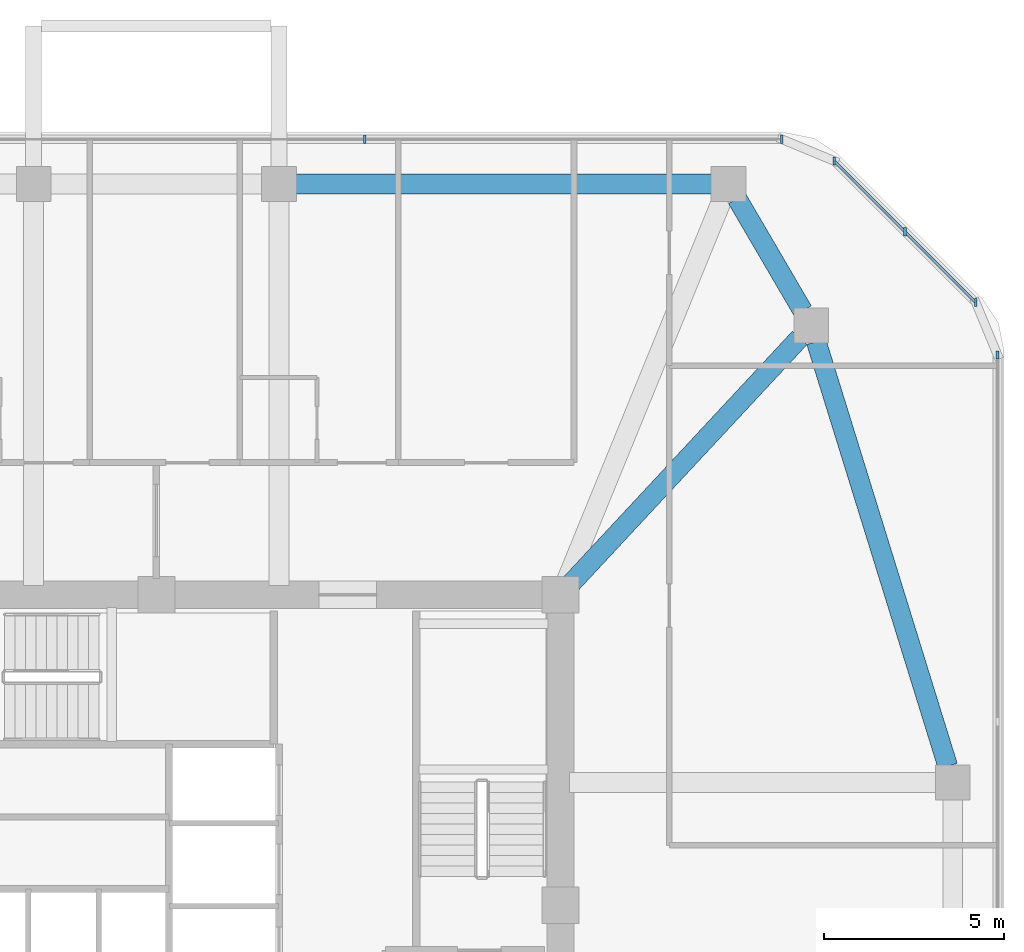
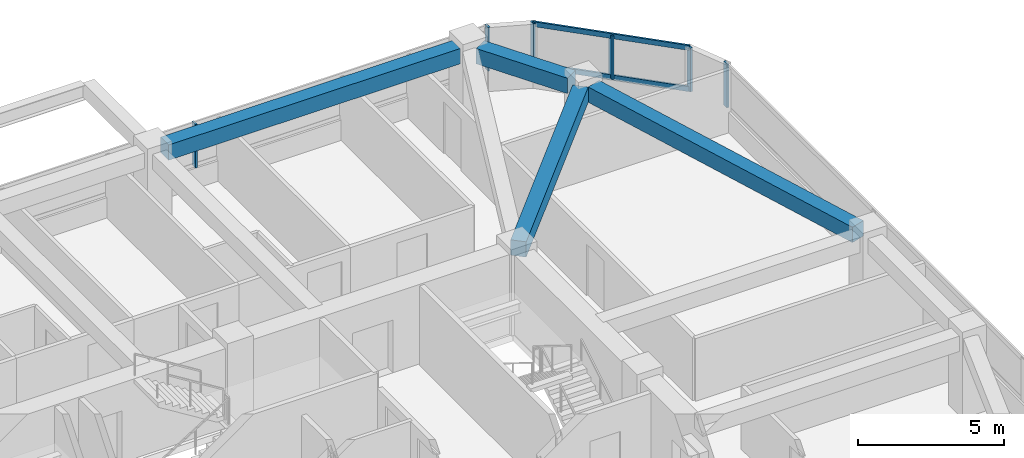
# One storey, part 5 of 12: 8 members, 4 beams, 3 elements without a shape of their own.
"""IFC4 building model written with IfcOpenShell, lengths in metres."""

from ifc_helpers import new_model, si_unit, derived_unit, direction, frame, origin, origin_2d, place, context, subcontext, project, spatial, rectangle, extrude, material, material_profile, profile_set, type_object, element, aggregate, save


model = new_model("IFC4")

# Units and contexts
model_context = context("Model", 3, precision=1e-05, world=origin(), true_north=direction((0.0, 1.0)))
body_context = subcontext(model_context, "Body", "Model", "MODEL_VIEW")
ifc_project = project(units=[si_unit("LENGTHUNIT", "METRE"), si_unit("AREAUNIT", "SQUARE_METRE"), si_unit("VOLUMEUNIT", "CUBIC_METRE"), si_unit("PLANEANGLEUNIT", "RADIAN"), si_unit("MASSUNIT", "GRAM", prefix="KILO"), derived_unit("THERMALTRANSMITTANCEUNIT", [(si_unit("POWERUNIT", "WATT"), 1), (si_unit("LENGTHUNIT", "METRE"), -2), (si_unit("THERMODYNAMICTEMPERATUREUNIT", "KELVIN"), -1)])], contexts=[model_context])

# Site, building, storey
site_placement = place(None, origin())
site = spatial("IfcSite", under=ifc_project, at=site_placement, CompositionType="ELEMENT")
building_placement = place(site_placement, origin())
building = spatial("IfcBuilding", under=site, at=building_placement, Name="Koralith Skygarden Medical Center", CompositionType="ELEMENT")
storey_placement = place(building_placement, frame((0.0, 0.0, 134.820068359375)))
storey = spatial("IfcBuildingStorey", under=building, at=storey_placement, Name="L34", CompositionType="ELEMENT", Elevation=134.820068359375)

# Curtain wall, member
ifc_material_1 = material(Name="Clear Laminated Glass", Category="glass")
curtain_wall_type = type_object("IfcCurtainWallType", Name="CW-4 Zone 3 Waist High-Wind Curtain Wall", PredefinedType="NOTDEFINED", material=ifc_material_1)
curtain_wall_1_placement = place(storey_placement, origin())
curtain_wall_1 = element("IfcCurtainWall", 1, at=curtain_wall_1_placement, inside=storey, type_object=curtain_wall_type, Name="Curtain Wall CW-L34-E", PredefinedType="NOTDEFINED")
ifc_material_2 = material(Name="Aluminium 6063-T6", Category="aluminium")
ifc_material_profile_1 = material_profile(ifc_material_2, rectangle(XDim=0.076904296875, YDim=0.22998046875, at=origin_2d()), Name="MUL77X230")
ifc_profile_set_1 = profile_set([ifc_material_profile_1], Name="Aluminium 6063-T6")
member_type_1 = type_object("IfcMemberType", Name="CW-4 Extruded Mullion 77x230", PredefinedType="MULLION", material=ifc_profile_set_1)
member_1_placement = place(storey_placement, frame((60.303955078125, 41.14501953125, 0.849853515625), z_axis=(0.0, 0.0, 1.0), x_axis=(1.0, 0.0, 0.0)))
member_1 = element("IfcMember", 2, at=member_1_placement, type_object=member_type_1, Name="CW-L34-E Mullion 4", PredefinedType="MULLION", context=body_context, shape_type="SweptSolid", body=[
    extrude(rectangle(XDim=0.076904296875, YDim=0.22998046875, at=origin_2d()), origin(), (0.0, 0.0, 1.0), 1.820068359375),
])
aggregate(curtain_wall_1, [member_1])

# Curtain wall, members
curtain_wall_2_placement = place(storey_placement, origin())
curtain_wall_2 = element("IfcCurtainWall", 3, at=curtain_wall_2_placement, inside=storey, type_object=curtain_wall_type, Name="Curtain Wall CW-L34-NE", PredefinedType="NOTDEFINED")
member_2_placement = place(storey_placement, frame((59.702880859375, 42.595947265625, 0.849853515625), z_axis=(0.0, 0.0, 1.0), x_axis=(1.0, 0.0, 0.0)))
member_2 = element("IfcMember", 4, at=member_2_placement, type_object=member_type_1, Name="CW-L34-NE Mullion 1", PredefinedType="MULLION", context=body_context, shape_type="SweptSolid", body=[
    extrude(rectangle(XDim=0.076904296875, YDim=0.22998046875, at=origin_2d()), origin(), (0.0, 0.0, 1.0), 1.820068359375),
])
member_3_placement = place(storey_placement, frame((57.741943359375, 44.556884765625, 0.849853515625), z_axis=(0.0, 0.0, 1.0), x_axis=(1.0, 0.0, 0.0)))
member_3 = element("IfcMember", 5, at=member_3_placement, type_object=member_type_1, Name="CW-L34-NE Mullion 2", PredefinedType="MULLION", context=body_context, shape_type="SweptSolid", body=[
    extrude(rectangle(XDim=0.076904296875, YDim=0.22998046875, at=origin_2d()), origin(), (0.0, 0.0, 1.0), 1.820068359375),
])
member_4_placement = place(storey_placement, frame((55.780029296875, 46.51904296875, 0.849853515625), z_axis=(0.0, 0.0, 1.0), x_axis=(1.0, 0.0, 0.0)))
member_4 = element("IfcMember", 6, at=member_4_placement, type_object=member_type_1, Name="CW-L34-NE Mullion 3", PredefinedType="MULLION", context=body_context, shape_type="SweptSolid", body=[
    extrude(rectangle(XDim=0.076904296875, YDim=0.22998046875, at=origin_2d()), origin(), (0.0, 0.0, 1.0), 1.820068359375),
])

curtain_wall_3_placement = place(storey_placement, origin())
curtain_wall_3 = element("IfcCurtainWall", 7, at=curtain_wall_3_placement, inside=storey, type_object=curtain_wall_type, Name="Curtain Wall CW-L34-N", PredefinedType="NOTDEFINED")
member_5_placement = place(storey_placement, frame((54.3291015625, 47.1201171875, 0.849853515625), z_axis=(0.0, 0.0, 1.0), x_axis=(1.0, 0.0, 0.0)))
member_5 = element("IfcMember", 8, at=member_5_placement, type_object=member_type_1, Name="CW-L34-N Mullion 1", PredefinedType="MULLION", context=body_context, shape_type="SweptSolid", body=[
    extrude(rectangle(XDim=0.076904296875, YDim=0.22998046875, at=origin_2d()), origin(), (0.0, 0.0, 1.0), 1.820068359375),
])
member_6_placement = place(storey_placement, frame((42.77587890625, 47.1201171875, 0.849853515625), z_axis=(0.0, 0.0, 1.0), x_axis=(1.0, 0.0, 0.0)))
member_6 = element("IfcMember", 9, at=member_6_placement, type_object=member_type_1, Name="CW-L34-N Mullion 2", PredefinedType="MULLION", context=body_context, shape_type="SweptSolid", body=[
    extrude(rectangle(XDim=0.076904296875, YDim=0.22998046875, at=origin_2d()), origin(), (0.0, 0.0, 1.0), 1.820068359375),
])
aggregate(curtain_wall_3, [member_5, member_6])

# Member
ifc_material_profile_2 = material_profile(ifc_material_2, rectangle(XDim=0.072021484375, YDim=0.20703125, at=origin_2d()), Name="TRN72X207")
ifc_profile_set_2 = profile_set([ifc_material_profile_2], Name="Aluminium 6063-T6")
member_type_2 = type_object("IfcMemberType", Name="CW-4 Thermal Transom 72x207", PredefinedType="USERDEFINED", material=ifc_profile_set_2)
member_7_placement = place(storey_placement, frame((59.702880859375, 42.595947265625, 0.89990234375), z_axis=(-0.707084777957, 0.707128783731, 0.0), x_axis=(-0.707128783731, -0.707084777957, 0.0)))
member_7 = element("IfcMember", 10, at=member_7_placement, type_object=member_type_2, Name="CW-L34-NE Transom 1", ObjectType="TRANSOM", PredefinedType="USERDEFINED", context=body_context, shape_type="SweptSolid", body=[
    extrude(rectangle(XDim=0.072021484375, YDim=0.20703125, at=origin_2d()), origin(), (0.0, 0.0, 1.0), 5.5478515625),
])

member_8_placement = place(storey_placement, frame((59.702880859375, 42.595947265625, 2.619873046875), z_axis=(-0.707084777957, 0.707128783731, 0.0), x_axis=(-0.707128783731, -0.707084777957, 0.0)))
member_8 = element("IfcMember", 11, at=member_8_placement, type_object=member_type_2, Name="CW-L34-NE Transom 2", ObjectType="TRANSOM", PredefinedType="USERDEFINED", context=body_context, shape_type="SweptSolid", body=[
    extrude(rectangle(XDim=0.072021484375, YDim=0.20703125, at=origin_2d()), origin(), (0.0, 0.0, 1.0), 5.5478515625),
])

aggregate(curtain_wall_2, [member_2, member_3, member_4, member_7, member_8])

# Beams
ifc_material_3 = material(Name="Concrete C45/55", Category="concrete")
ifc_material_profile_3 = material_profile(ifc_material_3, rectangle(XDim=0.550048828125, YDim=0.639892578125, at=origin_2d()), Name="RCB550X640")
ifc_profile_set_3 = profile_set([ifc_material_profile_3], Name="Concrete C45/55")
beam_type_1 = type_object("IfcBeamType", Name="Radial Collector Beam RCB550X640", PredefinedType="BEAM", material=ifc_profile_set_3)
beam_1_placement = place(storey_placement, frame((48.3701171875, 34.68310546875, 3.0), z_axis=(0.681369011591, 0.731940072713, 0.0), x_axis=(-0.731940072713, 0.681369011591, 0.0)))
element("IfcBeam", 12, at=beam_1_placement, inside=storey, type_object=beam_type_1, Name="L34 Radial Collector Beam RB-10", PredefinedType="BEAM", context=body_context, shape_type="SweptSolid", body=[
    extrude(rectangle(XDim=0.550048828125, YDim=0.639892578125, at=origin_2d()), origin(), (0.0, 0.0, 1.0), 9.471923828125),
])
ifc_material_profile_4 = material_profile(ifc_material_3, rectangle(XDim=0.550048828125, YDim=0.639892578125, at=origin_2d()), Name="RCB550X640")
ifc_profile_set_4 = profile_set([ifc_material_profile_4], Name="Concrete C45/55")
beam_type_2 = type_object("IfcBeamType", Name="Zone 2-3 Spandrel Beam RCB550X640", PredefinedType="SPANDREL", material=ifc_profile_set_4)
beam_2_placement = place(storey_placement, frame((58.925048828125, 29.7490234375, 3.0), z_axis=(-0.295793585147, 0.955251880389, 0.0), x_axis=(-0.955251880389, -0.295793585147, 0.0)))
element("IfcBeam", 13, at=beam_2_placement, inside=storey, type_object=beam_type_2, Name="L34 Perimeter Spandrel Beam SP-09", PredefinedType="SPANDREL", context=body_context, shape_type="SweptSolid", body=[
    extrude(rectangle(XDim=0.550048828125, YDim=0.639892578125, at=origin_2d()), origin(), (0.0, 0.0, 1.0), 12.31298828125),
])
beam_3_placement = place(storey_placement, frame((54.906982421875, 42.365966796875, 3.0), z_axis=(-0.504861391295, 0.863200426077, 0.0), x_axis=(-0.863200426077, -0.504861391295, 0.0)))
element("IfcBeam", 14, at=beam_3_placement, inside=storey, type_object=beam_type_2, Name="L34 Perimeter Spandrel Beam SP-10", PredefinedType="SPANDREL", context=body_context, shape_type="SweptSolid", body=[
    extrude(rectangle(XDim=0.550048828125, YDim=0.639892578125, at=origin_2d()), origin(), (0.0, 0.0, 1.0), 3.600830078125),
])
beam_4_placement = place(storey_placement, frame((52.382080078125, 45.8798828125, 3.0), z_axis=(-1.0, 0.0, 0.0), x_axis=(0.0, -1.0, 0.0)))
element("IfcBeam", 15, at=beam_4_placement, inside=storey, type_object=beam_type_2, Name="L34 Perimeter Spandrel Beam SP-11", PredefinedType="SPANDREL", context=body_context, shape_type="SweptSolid", body=[
    extrude(rectangle(XDim=0.550048828125, YDim=0.639892578125, at=origin_2d()), origin(), (0.0, 0.0, 1.0), 11.511962890625),
])

save(model, "model.ifc")
